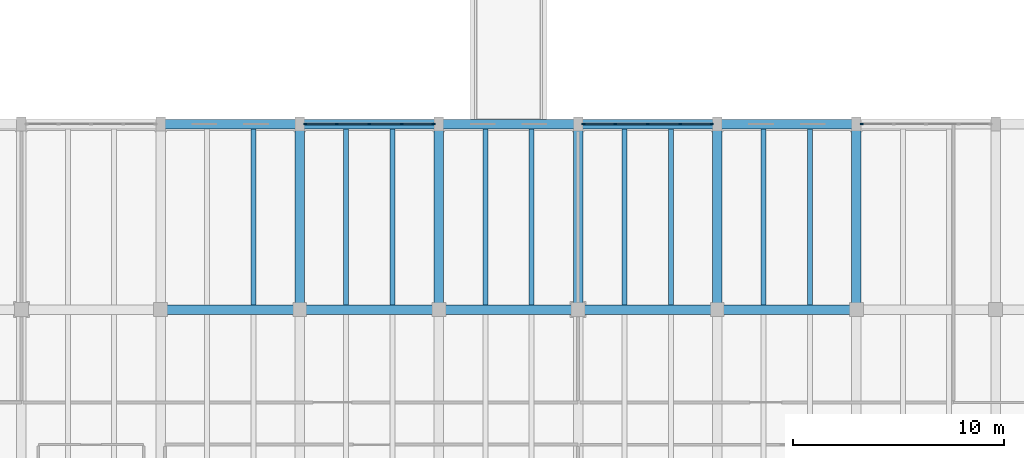
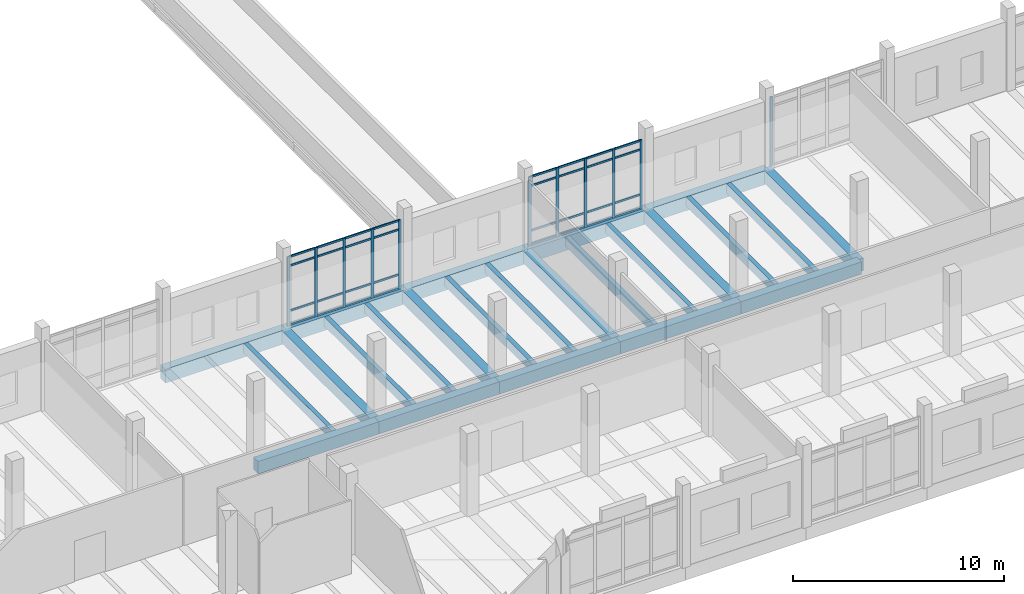
# One storey, part 37 of 101: 43 members, 24 beams, 3 elements without a shape of their own.
"""IFC4 building model written with IfcOpenShell, lengths in metres."""

from ifc_helpers import new_model, si_unit, direction, frame, origin, origin_2d, place, context, subcontext, project, spatial, rectangle, extrude, material, material_profile, profile_set, type_object, element, aggregate, save


model = new_model("IFC4")

# Units and contexts
model_context = context("Model", 3, precision=1e-05, world=origin(), true_north=direction((0.0, 1.0)))
body_context = subcontext(model_context, "Body", "Model", "MODEL_VIEW")
ifc_project = project(units=[si_unit("LENGTHUNIT", "METRE"), si_unit("AREAUNIT", "SQUARE_METRE"), si_unit("VOLUMEUNIT", "CUBIC_METRE"), si_unit("PLANEANGLEUNIT", "RADIAN"), si_unit("MASSUNIT", "GRAM", prefix="KILO")], contexts=[model_context])

# Site, building, storey
site_placement = place(None, origin())
site = spatial("IfcSite", under=ifc_project, at=site_placement, CompositionType="ELEMENT")
building_placement = place(site_placement, origin())
building = spatial("IfcBuilding", under=site, at=building_placement, Name="Dornvale Research Institute", CompositionType="ELEMENT")
storey_placement = place(building_placement, frame((0.0, 0.0, 10.199951171875)))
storey = spatial("IfcBuildingStorey", under=building, at=storey_placement, Name="L02", CompositionType="ELEMENT", Elevation=10.199951171875)

# Beams
ifc_material_1 = material(Name="Concrete f'c 45 MPa (C35/45)", Category="concrete")
ifc_material_profile_1 = material_profile(ifc_material_1, rectangle(XDim=0.449951171875, YDim=0.715087890625, at=origin_2d()), Name="RC 450x715")
ifc_profile_set_1 = profile_set([ifc_material_profile_1], Name="Concrete f'c 45 MPa (C35/45)")
beam_type_1 = type_object("IfcBeamType", Name="Beam_RC450x715_Lab", PredefinedType="BEAM", material=ifc_profile_set_1)
for number, where, z_axis, x_axis, name in (
    (1, (125.39990234375, 17.60009765625, -0.357421875), (1.0, 0.0, 0.0), (0.0, 1.0, 0.0), "L02 primary girder #726"),
    (2, (132.0, 17.60009765625, -0.357421875), (1.0, 0.0, 0.0), (0.0, 1.0, 0.0), "L02 primary girder #727"),
):
    element("IfcBeam", number, at=place(storey_placement, frame(where, z_axis=z_axis, x_axis=x_axis)), inside=storey, type_object=beam_type_1, Name=name, PredefinedType="BEAM", context=body_context, shape_type="SweptSolid", body=[
        extrude(rectangle(XDim=0.449951171875, YDim=0.715087890625, at=origin_2d()), origin(), (0.0, 0.0, 1.0), 6.60009765625),
    ])
beam_1_placement = place(storey_placement, frame((138.60009765625, 17.60009765625, -0.357421875), z_axis=(1.0, 0.0, 0.0), x_axis=(0.0, 1.0, 0.0)))
element("IfcBeam", 3, at=beam_1_placement, inside=storey, type_object=beam_type_1, Name="L02 primary girder #728", PredefinedType="BEAM", context=body_context, shape_type="SweptSolid", body=[
    extrude(rectangle(XDim=0.449951171875, YDim=0.715087890625, at=origin_2d()), origin(), (0.0, 0.0, 1.0), 6.599853515625),
])
beam_2_placement = place(storey_placement, frame((145.199951171875, 17.60009765625, -0.357421875), z_axis=(1.0, 0.0, 0.0), x_axis=(0.0, 1.0, 0.0)))
element("IfcBeam", 4, at=beam_2_placement, inside=storey, type_object=beam_type_1, Name="L02 primary girder #729", PredefinedType="BEAM", context=body_context, shape_type="SweptSolid", body=[
    extrude(rectangle(XDim=0.449951171875, YDim=0.715087890625, at=origin_2d()), origin(), (0.0, 0.0, 1.0), 6.60009765625),
])
beam_3_placement = place(storey_placement, frame((151.800048828125, 17.60009765625, -0.357421875), z_axis=(1.0, 0.0, 0.0), x_axis=(0.0, 1.0, 0.0)))
element("IfcBeam", 5, at=beam_3_placement, inside=storey, type_object=beam_type_1, Name="L02 primary girder #730", PredefinedType="BEAM", context=body_context, shape_type="SweptSolid", body=[
    extrude(rectangle(XDim=0.449951171875, YDim=0.715087890625, at=origin_2d()), origin(), (0.0, 0.0, 1.0), 6.599853515625),
])
for number, where, z_axis, x_axis, name in (
    (6, (132.0, 17.60009765625, -0.357421875), (0.0, 1.0, 0.0), (-1.0, 0.0, 0.0), "L02 transverse girder #762"),
    (7, (138.60009765625, 17.60009765625, -0.357421875), (0.0, 1.0, 0.0), (-1.0, 0.0, 0.0), "L02 transverse girder #765"),
    (8, (145.199951171875, 17.60009765625, -0.357421875), (0.0, 1.0, 0.0), (-1.0, 0.0, 0.0), "L02 transverse girder #768"),
    (9, (151.800048828125, 17.60009765625, -0.357421875), (0.0, 1.0, 0.0), (-1.0, 0.0, 0.0), "L02 transverse girder #771"),
    (10, (158.39990234375, 17.60009765625, -0.357421875), (0.0, 1.0, 0.0), (-1.0, 0.0, 0.0), "L02 transverse girder #774"),
):
    element("IfcBeam", number, at=place(storey_placement, frame(where, z_axis=z_axis, x_axis=x_axis)), inside=storey, type_object=beam_type_1, Name=name, PredefinedType="BEAM", context=body_context, shape_type="SweptSolid", body=[
        extrude(rectangle(XDim=0.449951171875, YDim=0.715087890625, at=origin_2d()), origin(), (0.0, 0.0, 1.0), 8.7998046875),
    ])
ifc_material_2 = material(Name="Concrete f'c 45 MPa (C35/45)", Category="concrete")
ifc_material_profile_2 = material_profile(ifc_material_2, rectangle(XDim=0.239990234375, YDim=0.534912109375, at=origin_2d()), Name="RC 240x535")
ifc_profile_set_2 = profile_set([ifc_material_profile_2], Name="Concrete f'c 45 MPa (C35/45)")
beam_type_2 = type_object("IfcBeamType", Name="Joist_RC240x535_Waffle", PredefinedType="JOIST", material=ifc_profile_set_2)
for number, where, z_axis, x_axis, name in (
    (11, (129.800048828125, 17.824951171875, -0.267333984375), (0.0, 1.0, 0.0), (-1.0, 0.0, 0.0), "L02 laboratory waffle joist #376"),
    (12, (134.199951171875, 17.824951171875, -0.267333984375), (0.0, 1.0, 0.0), (-1.0, 0.0, 0.0), "L02 laboratory waffle joist #381"),
    (13, (136.39990234375, 17.824951171875, -0.267333984375), (0.0, 1.0, 0.0), (-1.0, 0.0, 0.0), "L02 laboratory waffle joist #382"),
    (14, (140.800048828125, 17.824951171875, -0.267333984375), (0.0, 1.0, 0.0), (-1.0, 0.0, 0.0), "L02 laboratory waffle joist #387"),
    (15, (143.0, 17.824951171875, -0.267333984375), (0.0, 1.0, 0.0), (-1.0, 0.0, 0.0), "L02 laboratory waffle joist #388"),
    (16, (147.39990234375, 17.824951171875, -0.267333984375), (0.0, 1.0, 0.0), (-1.0, 0.0, 0.0), "L02 laboratory waffle joist #393"),
    (17, (149.60009765625, 17.824951171875, -0.267333984375), (0.0, 1.0, 0.0), (-1.0, 0.0, 0.0), "L02 laboratory waffle joist #394"),
    (18, (154.0, 17.824951171875, -0.267333984375), (0.0, 1.0, 0.0), (-1.0, 0.0, 0.0), "L02 laboratory waffle joist #399"),
    (19, (156.199951171875, 17.824951171875, -0.267333984375), (0.0, 1.0, 0.0), (-1.0, 0.0, 0.0), "L02 laboratory waffle joist #400"),
):
    element("IfcBeam", number, at=place(storey_placement, frame(where, z_axis=z_axis, x_axis=x_axis)), inside=storey, type_object=beam_type_2, Name=name, PredefinedType="JOIST", context=body_context, shape_type="SweptSolid", body=[
        extrude(rectangle(XDim=0.239990234375, YDim=0.534912109375, at=origin_2d()), origin(), (0.0, 0.0, 1.0), 8.35009765625),
    ])

# Curtain wall, members
ifc_material_3 = material(Name="Low-E Argon Double Insulating Glazing Unit", Category="glass")
curtain_wall_type = type_object("IfcCurtainWallType", Name="UnitisedCurtainWall_V3_6150x4000", PredefinedType="USERDEFINED", material=ifc_material_3)
curtain_wall_1_placement = place(storey_placement, origin())
curtain_wall_1 = element("IfcCurtainWall", 20, at=curtain_wall_1_placement, inside=storey, type_object=curtain_wall_type, Name="L02 V3 unitised curtain wall CW-06 #44", ObjectType="UNITISED CURTAIN WALL", PredefinedType="USERDEFINED")
ifc_material_4 = material(Name="Anodized Aluminum AA 6063-T6 Thermally Broken Frame", Category="aluminium")
ifc_material_profile_3 = material_profile(ifc_material_4, rectangle(XDim=0.06494140625, YDim=0.14990234375, at=origin_2d()), Name="ALU MULLION 65x150")
ifc_profile_set_3 = profile_set([ifc_material_profile_3], Name="Anodized Aluminum AA 6063-T6 Thermally Broken Frame")
member_type_1 = type_object("IfcMemberType", Name="Mullion_CW_65x150", PredefinedType="MULLION", material=ifc_profile_set_3)
member_1_placement = place(storey_placement, frame((132.257568359375, 26.39990234375, 0.0), z_axis=(0.0, 0.0, 1.0), x_axis=(0.0, 1.0, 0.0)))
member_1 = element("IfcMember", 21, at=member_1_placement, type_object=member_type_1, Name="CW-06 mullion 1", PredefinedType="MULLION", context=body_context, shape_type="SweptSolid", body=[
    extrude(rectangle(XDim=0.06494140625, YDim=0.14990234375, at=origin_2d()), origin(), (0.0, 0.0, 1.0), 4.0),
])
member_2_placement = place(storey_placement, frame((133.762451171875, 26.39990234375, 0.0), z_axis=(0.0, 0.0, 1.0), x_axis=(0.0, 1.0, 0.0)))
member_2 = element("IfcMember", 22, at=member_2_placement, type_object=member_type_1, Name="CW-06 mullion 2", PredefinedType="MULLION", context=body_context, shape_type="SweptSolid", body=[
    extrude(rectangle(XDim=0.06494140625, YDim=0.14990234375, at=origin_2d()), origin(), (0.0, 0.0, 1.0), 4.0),
])
member_3_placement = place(storey_placement, frame((135.300048828125, 26.39990234375, 0.0), z_axis=(0.0, 0.0, 1.0), x_axis=(0.0, 1.0, 0.0)))
member_3 = element("IfcMember", 23, at=member_3_placement, type_object=member_type_1, Name="CW-06 mullion 3", PredefinedType="MULLION", context=body_context, shape_type="SweptSolid", body=[
    extrude(rectangle(XDim=0.06494140625, YDim=0.14990234375, at=origin_2d()), origin(), (0.0, 0.0, 1.0), 4.0),
])
member_4_placement = place(storey_placement, frame((136.83740234375, 26.39990234375, 0.0), z_axis=(0.0, 0.0, 1.0), x_axis=(0.0, 1.0, 0.0)))
member_4 = element("IfcMember", 24, at=member_4_placement, type_object=member_type_1, Name="CW-06 mullion 4", PredefinedType="MULLION", context=body_context, shape_type="SweptSolid", body=[
    extrude(rectangle(XDim=0.06494140625, YDim=0.14990234375, at=origin_2d()), origin(), (0.0, 0.0, 1.0), 4.0),
])
member_5_placement = place(storey_placement, frame((138.342529296875, 26.39990234375, 0.0), z_axis=(0.0, 0.0, 1.0), x_axis=(0.0, 1.0, 0.0)))
member_5 = element("IfcMember", 25, at=member_5_placement, type_object=member_type_1, Name="CW-06 mullion 5", PredefinedType="MULLION", context=body_context, shape_type="SweptSolid", body=[
    extrude(rectangle(XDim=0.06494140625, YDim=0.14990234375, at=origin_2d()), origin(), (0.0, 0.0, 1.0), 4.0),
])

curtain_wall_2_placement = place(storey_placement, origin())
curtain_wall_2 = element("IfcCurtainWall", 26, at=curtain_wall_2_placement, inside=storey, type_object=curtain_wall_type, Name="L02 V3 unitised curtain wall CW-06 #45", ObjectType="UNITISED CURTAIN WALL", PredefinedType="USERDEFINED")
member_6_placement = place(storey_placement, frame((145.45751953125, 26.39990234375, 0.0), z_axis=(0.0, 0.0, 1.0), x_axis=(0.0, 1.0, 0.0)))
member_6 = element("IfcMember", 27, at=member_6_placement, type_object=member_type_1, Name="CW-06 mullion 1", PredefinedType="MULLION", context=body_context, shape_type="SweptSolid", body=[
    extrude(rectangle(XDim=0.06494140625, YDim=0.14990234375, at=origin_2d()), origin(), (0.0, 0.0, 1.0), 4.0),
])
member_7_placement = place(storey_placement, frame((146.96240234375, 26.39990234375, 0.0), z_axis=(0.0, 0.0, 1.0), x_axis=(0.0, 1.0, 0.0)))
member_7 = element("IfcMember", 28, at=member_7_placement, type_object=member_type_1, Name="CW-06 mullion 2", PredefinedType="MULLION", context=body_context, shape_type="SweptSolid", body=[
    extrude(rectangle(XDim=0.06494140625, YDim=0.14990234375, at=origin_2d()), origin(), (0.0, 0.0, 1.0), 4.0),
])
member_8_placement = place(storey_placement, frame((148.5, 26.39990234375, 0.0), z_axis=(0.0, 0.0, 1.0), x_axis=(0.0, 1.0, 0.0)))
member_8 = element("IfcMember", 29, at=member_8_placement, type_object=member_type_1, Name="CW-06 mullion 3", PredefinedType="MULLION", context=body_context, shape_type="SweptSolid", body=[
    extrude(rectangle(XDim=0.06494140625, YDim=0.14990234375, at=origin_2d()), origin(), (0.0, 0.0, 1.0), 4.0),
])
member_9_placement = place(storey_placement, frame((150.03759765625, 26.39990234375, 0.0), z_axis=(0.0, 0.0, 1.0), x_axis=(0.0, 1.0, 0.0)))
member_9 = element("IfcMember", 30, at=member_9_placement, type_object=member_type_1, Name="CW-06 mullion 4", PredefinedType="MULLION", context=body_context, shape_type="SweptSolid", body=[
    extrude(rectangle(XDim=0.06494140625, YDim=0.14990234375, at=origin_2d()), origin(), (0.0, 0.0, 1.0), 4.0),
])
member_10_placement = place(storey_placement, frame((151.54248046875, 26.39990234375, 0.0), z_axis=(0.0, 0.0, 1.0), x_axis=(0.0, 1.0, 0.0)))
member_10 = element("IfcMember", 31, at=member_10_placement, type_object=member_type_1, Name="CW-06 mullion 5", PredefinedType="MULLION", context=body_context, shape_type="SweptSolid", body=[
    extrude(rectangle(XDim=0.06494140625, YDim=0.14990234375, at=origin_2d()), origin(), (0.0, 0.0, 1.0), 4.0),
])

# Curtain wall, member
curtain_wall_3_placement = place(storey_placement, origin())
curtain_wall_3 = element("IfcCurtainWall", 32, at=curtain_wall_3_placement, inside=storey, type_object=curtain_wall_type, Name="L02 V3 unitised curtain wall CW-06 #46", ObjectType="UNITISED CURTAIN WALL", PredefinedType="USERDEFINED")
member_11_placement = place(storey_placement, frame((158.657470703125, 26.39990234375, 0.0), z_axis=(0.0, 0.0, 1.0), x_axis=(0.0, 1.0, 0.0)))
member_11 = element("IfcMember", 33, at=member_11_placement, type_object=member_type_1, Name="CW-06 mullion 1", PredefinedType="MULLION", context=body_context, shape_type="SweptSolid", body=[
    extrude(rectangle(XDim=0.06494140625, YDim=0.14990234375, at=origin_2d()), origin(), (0.0, 0.0, 1.0), 4.0),
])
aggregate(curtain_wall_3, [member_11])

# Beams
ifc_material_5 = material(Name="Concrete f'c 45 MPa (C35/45)", Category="concrete")
ifc_material_profile_4 = material_profile(ifc_material_5, rectangle(XDim=0.449951171875, YDim=0.800048828125, at=origin_2d()), Name="RC 450x800")
ifc_profile_set_4 = profile_set([ifc_material_profile_4], Name="Concrete f'c 45 MPa (C35/45)")
beam_type_3 = type_object("IfcBeamType", Name="Spandrel_RC450x800_Ext", PredefinedType="SPANDREL", material=ifc_profile_set_4)
for number, where, z_axis, x_axis, name in (
    (34, (125.39990234375, 26.39990234375, -0.39990234375), (1.0, 0.0, 0.0), (0.0, 1.0, 0.0), "L02 perimeter spandrel #738"),
    (35, (132.0, 26.39990234375, -0.39990234375), (1.0, 0.0, 0.0), (0.0, 1.0, 0.0), "L02 perimeter spandrel #739"),
):
    element("IfcBeam", number, at=place(storey_placement, frame(where, z_axis=z_axis, x_axis=x_axis)), inside=storey, type_object=beam_type_3, Name=name, PredefinedType="SPANDREL", context=body_context, shape_type="SweptSolid", body=[
        extrude(rectangle(XDim=0.449951171875, YDim=0.800048828125, at=origin_2d()), origin(), (0.0, 0.0, 1.0), 6.60009765625),
    ])
beam_4_placement = place(storey_placement, frame((138.60009765625, 26.39990234375, -0.39990234375), z_axis=(1.0, 0.0, 0.0), x_axis=(0.0, 1.0, 0.0)))
element("IfcBeam", 36, at=beam_4_placement, inside=storey, type_object=beam_type_3, Name="L02 perimeter spandrel #740", PredefinedType="SPANDREL", context=body_context, shape_type="SweptSolid", body=[
    extrude(rectangle(XDim=0.449951171875, YDim=0.800048828125, at=origin_2d()), origin(), (0.0, 0.0, 1.0), 6.599853515625),
])
beam_5_placement = place(storey_placement, frame((145.199951171875, 26.39990234375, -0.39990234375), z_axis=(1.0, 0.0, 0.0), x_axis=(0.0, 1.0, 0.0)))
element("IfcBeam", 37, at=beam_5_placement, inside=storey, type_object=beam_type_3, Name="L02 perimeter spandrel #741", PredefinedType="SPANDREL", context=body_context, shape_type="SweptSolid", body=[
    extrude(rectangle(XDim=0.449951171875, YDim=0.800048828125, at=origin_2d()), origin(), (0.0, 0.0, 1.0), 6.60009765625),
])
beam_6_placement = place(storey_placement, frame((151.800048828125, 26.39990234375, -0.39990234375), z_axis=(1.0, 0.0, 0.0), x_axis=(0.0, 1.0, 0.0)))
element("IfcBeam", 38, at=beam_6_placement, inside=storey, type_object=beam_type_3, Name="L02 perimeter spandrel #742", PredefinedType="SPANDREL", context=body_context, shape_type="SweptSolid", body=[
    extrude(rectangle(XDim=0.449951171875, YDim=0.800048828125, at=origin_2d()), origin(), (0.0, 0.0, 1.0), 6.599853515625),
])

# Member
ifc_material_6 = material(Name="Anodized Aluminum AA 6063-T6 Thermally Broken Frame", Category="aluminium")
ifc_material_profile_5 = material_profile(ifc_material_6, rectangle(XDim=0.06494140625, YDim=0.110107421875, at=origin_2d()), Name="ALU TRANSOM 65x110")
ifc_profile_set_5 = profile_set([ifc_material_profile_5], Name="Anodized Aluminum AA 6063-T6 Thermally Broken Frame")
member_type_2 = type_object("IfcMemberType", Name="Transom_CW_65x110", PredefinedType="USERDEFINED", material=ifc_profile_set_5)
member_12_placement = place(storey_placement, frame((132.2900390625, 26.39990234375, 0.032470703125), z_axis=(1.0, 0.0, 0.0), x_axis=(0.0, 1.0, 0.0)))
member_12 = element("IfcMember", 39, at=member_12_placement, type_object=member_type_2, Name="CW-06 transom 1.1", ObjectType="TRANSOM", PredefinedType="USERDEFINED", context=body_context, shape_type="SweptSolid", body=[
    extrude(rectangle(XDim=0.06494140625, YDim=0.110107421875, at=origin_2d()), origin(), (0.0, 0.0, 1.0), 1.43994140625),
])

member_13_placement = place(storey_placement, frame((132.2900390625, 26.39990234375, 0.85009765625), z_axis=(1.0, 0.0, 0.0), x_axis=(0.0, 1.0, 0.0)))
member_13 = element("IfcMember", 40, at=member_13_placement, type_object=member_type_2, Name="CW-06 transom 1.2", ObjectType="TRANSOM", PredefinedType="USERDEFINED", context=body_context, shape_type="SweptSolid", body=[
    extrude(rectangle(XDim=0.06494140625, YDim=0.110107421875, at=origin_2d()), origin(), (0.0, 0.0, 1.0), 1.43994140625),
])

member_14_placement = place(storey_placement, frame((132.2900390625, 26.39990234375, 3.449951171875), z_axis=(1.0, 0.0, 0.0), x_axis=(0.0, 1.0, 0.0)))
member_14 = element("IfcMember", 41, at=member_14_placement, type_object=member_type_2, Name="CW-06 transom 1.3", ObjectType="TRANSOM", PredefinedType="USERDEFINED", context=body_context, shape_type="SweptSolid", body=[
    extrude(rectangle(XDim=0.06494140625, YDim=0.110107421875, at=origin_2d()), origin(), (0.0, 0.0, 1.0), 1.43994140625),
])

member_15_placement = place(storey_placement, frame((132.2900390625, 26.39990234375, 3.967529296875), z_axis=(1.0, 0.0, 0.0), x_axis=(0.0, 1.0, 0.0)))
member_15 = element("IfcMember", 42, at=member_15_placement, type_object=member_type_2, Name="CW-06 transom 1.4", ObjectType="TRANSOM", PredefinedType="USERDEFINED", context=body_context, shape_type="SweptSolid", body=[
    extrude(rectangle(XDim=0.06494140625, YDim=0.110107421875, at=origin_2d()), origin(), (0.0, 0.0, 1.0), 1.43994140625),
])

member_16_placement = place(storey_placement, frame((133.794921875, 26.39990234375, 0.032470703125), z_axis=(1.0, 0.0, 0.0), x_axis=(0.0, 1.0, 0.0)))
member_16 = element("IfcMember", 43, at=member_16_placement, type_object=member_type_2, Name="CW-06 transom 2.1", ObjectType="TRANSOM", PredefinedType="USERDEFINED", context=body_context, shape_type="SweptSolid", body=[
    extrude(rectangle(XDim=0.06494140625, YDim=0.110107421875, at=origin_2d()), origin(), (0.0, 0.0, 1.0), 1.47265625),
])

member_17_placement = place(storey_placement, frame((133.794921875, 26.39990234375, 0.85009765625), z_axis=(1.0, 0.0, 0.0), x_axis=(0.0, 1.0, 0.0)))
member_17 = element("IfcMember", 44, at=member_17_placement, type_object=member_type_2, Name="CW-06 transom 2.2", ObjectType="TRANSOM", PredefinedType="USERDEFINED", context=body_context, shape_type="SweptSolid", body=[
    extrude(rectangle(XDim=0.06494140625, YDim=0.110107421875, at=origin_2d()), origin(), (0.0, 0.0, 1.0), 1.47265625),
])

member_18_placement = place(storey_placement, frame((133.794921875, 26.39990234375, 3.449951171875), z_axis=(1.0, 0.0, 0.0), x_axis=(0.0, 1.0, 0.0)))
member_18 = element("IfcMember", 45, at=member_18_placement, type_object=member_type_2, Name="CW-06 transom 2.3", ObjectType="TRANSOM", PredefinedType="USERDEFINED", context=body_context, shape_type="SweptSolid", body=[
    extrude(rectangle(XDim=0.06494140625, YDim=0.110107421875, at=origin_2d()), origin(), (0.0, 0.0, 1.0), 1.47265625),
])

member_19_placement = place(storey_placement, frame((133.794921875, 26.39990234375, 3.967529296875), z_axis=(1.0, 0.0, 0.0), x_axis=(0.0, 1.0, 0.0)))
member_19 = element("IfcMember", 46, at=member_19_placement, type_object=member_type_2, Name="CW-06 transom 2.4", ObjectType="TRANSOM", PredefinedType="USERDEFINED", context=body_context, shape_type="SweptSolid", body=[
    extrude(rectangle(XDim=0.06494140625, YDim=0.110107421875, at=origin_2d()), origin(), (0.0, 0.0, 1.0), 1.47265625),
])

member_20_placement = place(storey_placement, frame((135.33251953125, 26.39990234375, 0.032470703125), z_axis=(1.0, 0.0, 0.0), x_axis=(0.0, 1.0, 0.0)))
member_20 = element("IfcMember", 47, at=member_20_placement, type_object=member_type_2, Name="CW-06 transom 3.1", ObjectType="TRANSOM", PredefinedType="USERDEFINED", context=body_context, shape_type="SweptSolid", body=[
    extrude(rectangle(XDim=0.06494140625, YDim=0.110107421875, at=origin_2d()), origin(), (0.0, 0.0, 1.0), 1.472412109375),
])

member_21_placement = place(storey_placement, frame((135.33251953125, 26.39990234375, 0.85009765625), z_axis=(1.0, 0.0, 0.0), x_axis=(0.0, 1.0, 0.0)))
member_21 = element("IfcMember", 48, at=member_21_placement, type_object=member_type_2, Name="CW-06 transom 3.2", ObjectType="TRANSOM", PredefinedType="USERDEFINED", context=body_context, shape_type="SweptSolid", body=[
    extrude(rectangle(XDim=0.06494140625, YDim=0.110107421875, at=origin_2d()), origin(), (0.0, 0.0, 1.0), 1.472412109375),
])

member_22_placement = place(storey_placement, frame((135.33251953125, 26.39990234375, 3.449951171875), z_axis=(1.0, 0.0, 0.0), x_axis=(0.0, 1.0, 0.0)))
member_22 = element("IfcMember", 49, at=member_22_placement, type_object=member_type_2, Name="CW-06 transom 3.3", ObjectType="TRANSOM", PredefinedType="USERDEFINED", context=body_context, shape_type="SweptSolid", body=[
    extrude(rectangle(XDim=0.06494140625, YDim=0.110107421875, at=origin_2d()), origin(), (0.0, 0.0, 1.0), 1.472412109375),
])

member_23_placement = place(storey_placement, frame((135.33251953125, 26.39990234375, 3.967529296875), z_axis=(1.0, 0.0, 0.0), x_axis=(0.0, 1.0, 0.0)))
member_23 = element("IfcMember", 50, at=member_23_placement, type_object=member_type_2, Name="CW-06 transom 3.4", ObjectType="TRANSOM", PredefinedType="USERDEFINED", context=body_context, shape_type="SweptSolid", body=[
    extrude(rectangle(XDim=0.06494140625, YDim=0.110107421875, at=origin_2d()), origin(), (0.0, 0.0, 1.0), 1.472412109375),
])

member_24_placement = place(storey_placement, frame((136.8701171875, 26.39990234375, 0.032470703125), z_axis=(1.0, 0.0, 0.0), x_axis=(0.0, 1.0, 0.0)))
member_24 = element("IfcMember", 51, at=member_24_placement, type_object=member_type_2, Name="CW-06 transom 4.1", ObjectType="TRANSOM", PredefinedType="USERDEFINED", context=body_context, shape_type="SweptSolid", body=[
    extrude(rectangle(XDim=0.06494140625, YDim=0.110107421875, at=origin_2d()), origin(), (0.0, 0.0, 1.0), 1.43994140625),
])

member_25_placement = place(storey_placement, frame((136.8701171875, 26.39990234375, 0.85009765625), z_axis=(1.0, 0.0, 0.0), x_axis=(0.0, 1.0, 0.0)))
member_25 = element("IfcMember", 52, at=member_25_placement, type_object=member_type_2, Name="CW-06 transom 4.2", ObjectType="TRANSOM", PredefinedType="USERDEFINED", context=body_context, shape_type="SweptSolid", body=[
    extrude(rectangle(XDim=0.06494140625, YDim=0.110107421875, at=origin_2d()), origin(), (0.0, 0.0, 1.0), 1.43994140625),
])

member_26_placement = place(storey_placement, frame((136.8701171875, 26.39990234375, 3.449951171875), z_axis=(1.0, 0.0, 0.0), x_axis=(0.0, 1.0, 0.0)))
member_26 = element("IfcMember", 53, at=member_26_placement, type_object=member_type_2, Name="CW-06 transom 4.3", ObjectType="TRANSOM", PredefinedType="USERDEFINED", context=body_context, shape_type="SweptSolid", body=[
    extrude(rectangle(XDim=0.06494140625, YDim=0.110107421875, at=origin_2d()), origin(), (0.0, 0.0, 1.0), 1.43994140625),
])

member_27_placement = place(storey_placement, frame((136.8701171875, 26.39990234375, 3.967529296875), z_axis=(1.0, 0.0, 0.0), x_axis=(0.0, 1.0, 0.0)))
member_27 = element("IfcMember", 54, at=member_27_placement, type_object=member_type_2, Name="CW-06 transom 4.4", ObjectType="TRANSOM", PredefinedType="USERDEFINED", context=body_context, shape_type="SweptSolid", body=[
    extrude(rectangle(XDim=0.06494140625, YDim=0.110107421875, at=origin_2d()), origin(), (0.0, 0.0, 1.0), 1.43994140625),
])

aggregate(curtain_wall_1, [member_1, member_2, member_3, member_4, member_5, member_12, member_13, member_14, member_15, member_16, member_17, member_18, member_19, member_20, member_21, member_22, member_23, member_24, member_25, member_26, member_27])

member_28_placement = place(storey_placement, frame((145.489990234375, 26.39990234375, 0.032470703125), z_axis=(1.0, 0.0, 0.0), x_axis=(0.0, 1.0, 0.0)))
member_28 = element("IfcMember", 55, at=member_28_placement, type_object=member_type_2, Name="CW-06 transom 1.1", ObjectType="TRANSOM", PredefinedType="USERDEFINED", context=body_context, shape_type="SweptSolid", body=[
    extrude(rectangle(XDim=0.06494140625, YDim=0.110107421875, at=origin_2d()), origin(), (0.0, 0.0, 1.0), 1.43994140625),
])

member_29_placement = place(storey_placement, frame((145.489990234375, 26.39990234375, 0.85009765625), z_axis=(1.0, 0.0, 0.0), x_axis=(0.0, 1.0, 0.0)))
member_29 = element("IfcMember", 56, at=member_29_placement, type_object=member_type_2, Name="CW-06 transom 1.2", ObjectType="TRANSOM", PredefinedType="USERDEFINED", context=body_context, shape_type="SweptSolid", body=[
    extrude(rectangle(XDim=0.06494140625, YDim=0.110107421875, at=origin_2d()), origin(), (0.0, 0.0, 1.0), 1.43994140625),
])

member_30_placement = place(storey_placement, frame((145.489990234375, 26.39990234375, 3.449951171875), z_axis=(1.0, 0.0, 0.0), x_axis=(0.0, 1.0, 0.0)))
member_30 = element("IfcMember", 57, at=member_30_placement, type_object=member_type_2, Name="CW-06 transom 1.3", ObjectType="TRANSOM", PredefinedType="USERDEFINED", context=body_context, shape_type="SweptSolid", body=[
    extrude(rectangle(XDim=0.06494140625, YDim=0.110107421875, at=origin_2d()), origin(), (0.0, 0.0, 1.0), 1.43994140625),
])

member_31_placement = place(storey_placement, frame((145.489990234375, 26.39990234375, 3.967529296875), z_axis=(1.0, 0.0, 0.0), x_axis=(0.0, 1.0, 0.0)))
member_31 = element("IfcMember", 58, at=member_31_placement, type_object=member_type_2, Name="CW-06 transom 1.4", ObjectType="TRANSOM", PredefinedType="USERDEFINED", context=body_context, shape_type="SweptSolid", body=[
    extrude(rectangle(XDim=0.06494140625, YDim=0.110107421875, at=origin_2d()), origin(), (0.0, 0.0, 1.0), 1.43994140625),
])

member_32_placement = place(storey_placement, frame((146.9951171875, 26.39990234375, 0.032470703125), z_axis=(1.0, 0.0, 0.0), x_axis=(0.0, 1.0, 0.0)))
member_32 = element("IfcMember", 59, at=member_32_placement, type_object=member_type_2, Name="CW-06 transom 2.1", ObjectType="TRANSOM", PredefinedType="USERDEFINED", context=body_context, shape_type="SweptSolid", body=[
    extrude(rectangle(XDim=0.06494140625, YDim=0.110107421875, at=origin_2d()), origin(), (0.0, 0.0, 1.0), 1.472412109375),
])

member_33_placement = place(storey_placement, frame((146.9951171875, 26.39990234375, 0.85009765625), z_axis=(1.0, 0.0, 0.0), x_axis=(0.0, 1.0, 0.0)))
member_33 = element("IfcMember", 60, at=member_33_placement, type_object=member_type_2, Name="CW-06 transom 2.2", ObjectType="TRANSOM", PredefinedType="USERDEFINED", context=body_context, shape_type="SweptSolid", body=[
    extrude(rectangle(XDim=0.06494140625, YDim=0.110107421875, at=origin_2d()), origin(), (0.0, 0.0, 1.0), 1.472412109375),
])

member_34_placement = place(storey_placement, frame((146.9951171875, 26.39990234375, 3.449951171875), z_axis=(1.0, 0.0, 0.0), x_axis=(0.0, 1.0, 0.0)))
member_34 = element("IfcMember", 61, at=member_34_placement, type_object=member_type_2, Name="CW-06 transom 2.3", ObjectType="TRANSOM", PredefinedType="USERDEFINED", context=body_context, shape_type="SweptSolid", body=[
    extrude(rectangle(XDim=0.06494140625, YDim=0.110107421875, at=origin_2d()), origin(), (0.0, 0.0, 1.0), 1.472412109375),
])

member_35_placement = place(storey_placement, frame((146.9951171875, 26.39990234375, 3.967529296875), z_axis=(1.0, 0.0, 0.0), x_axis=(0.0, 1.0, 0.0)))
member_35 = element("IfcMember", 62, at=member_35_placement, type_object=member_type_2, Name="CW-06 transom 2.4", ObjectType="TRANSOM", PredefinedType="USERDEFINED", context=body_context, shape_type="SweptSolid", body=[
    extrude(rectangle(XDim=0.06494140625, YDim=0.110107421875, at=origin_2d()), origin(), (0.0, 0.0, 1.0), 1.472412109375),
])

member_36_placement = place(storey_placement, frame((148.532470703125, 26.39990234375, 0.032470703125), z_axis=(1.0, 0.0, 0.0), x_axis=(0.0, 1.0, 0.0)))
member_36 = element("IfcMember", 63, at=member_36_placement, type_object=member_type_2, Name="CW-06 transom 3.1", ObjectType="TRANSOM", PredefinedType="USERDEFINED", context=body_context, shape_type="SweptSolid", body=[
    extrude(rectangle(XDim=0.06494140625, YDim=0.110107421875, at=origin_2d()), origin(), (0.0, 0.0, 1.0), 1.472412109375),
])

member_37_placement = place(storey_placement, frame((148.532470703125, 26.39990234375, 0.85009765625), z_axis=(1.0, 0.0, 0.0), x_axis=(0.0, 1.0, 0.0)))
member_37 = element("IfcMember", 64, at=member_37_placement, type_object=member_type_2, Name="CW-06 transom 3.2", ObjectType="TRANSOM", PredefinedType="USERDEFINED", context=body_context, shape_type="SweptSolid", body=[
    extrude(rectangle(XDim=0.06494140625, YDim=0.110107421875, at=origin_2d()), origin(), (0.0, 0.0, 1.0), 1.472412109375),
])

member_38_placement = place(storey_placement, frame((148.532470703125, 26.39990234375, 3.449951171875), z_axis=(1.0, 0.0, 0.0), x_axis=(0.0, 1.0, 0.0)))
member_38 = element("IfcMember", 65, at=member_38_placement, type_object=member_type_2, Name="CW-06 transom 3.3", ObjectType="TRANSOM", PredefinedType="USERDEFINED", context=body_context, shape_type="SweptSolid", body=[
    extrude(rectangle(XDim=0.06494140625, YDim=0.110107421875, at=origin_2d()), origin(), (0.0, 0.0, 1.0), 1.472412109375),
])

member_39_placement = place(storey_placement, frame((148.532470703125, 26.39990234375, 3.967529296875), z_axis=(1.0, 0.0, 0.0), x_axis=(0.0, 1.0, 0.0)))
member_39 = element("IfcMember", 66, at=member_39_placement, type_object=member_type_2, Name="CW-06 transom 3.4", ObjectType="TRANSOM", PredefinedType="USERDEFINED", context=body_context, shape_type="SweptSolid", body=[
    extrude(rectangle(XDim=0.06494140625, YDim=0.110107421875, at=origin_2d()), origin(), (0.0, 0.0, 1.0), 1.472412109375),
])

member_40_placement = place(storey_placement, frame((150.070068359375, 26.39990234375, 0.032470703125), z_axis=(1.0, 0.0, 0.0), x_axis=(0.0, 1.0, 0.0)))
member_40 = element("IfcMember", 67, at=member_40_placement, type_object=member_type_2, Name="CW-06 transom 4.1", ObjectType="TRANSOM", PredefinedType="USERDEFINED", context=body_context, shape_type="SweptSolid", body=[
    extrude(rectangle(XDim=0.06494140625, YDim=0.110107421875, at=origin_2d()), origin(), (0.0, 0.0, 1.0), 1.43994140625),
])

member_41_placement = place(storey_placement, frame((150.070068359375, 26.39990234375, 0.85009765625), z_axis=(1.0, 0.0, 0.0), x_axis=(0.0, 1.0, 0.0)))
member_41 = element("IfcMember", 68, at=member_41_placement, type_object=member_type_2, Name="CW-06 transom 4.2", ObjectType="TRANSOM", PredefinedType="USERDEFINED", context=body_context, shape_type="SweptSolid", body=[
    extrude(rectangle(XDim=0.06494140625, YDim=0.110107421875, at=origin_2d()), origin(), (0.0, 0.0, 1.0), 1.43994140625),
])

member_42_placement = place(storey_placement, frame((150.070068359375, 26.39990234375, 3.449951171875), z_axis=(1.0, 0.0, 0.0), x_axis=(0.0, 1.0, 0.0)))
member_42 = element("IfcMember", 69, at=member_42_placement, type_object=member_type_2, Name="CW-06 transom 4.3", ObjectType="TRANSOM", PredefinedType="USERDEFINED", context=body_context, shape_type="SweptSolid", body=[
    extrude(rectangle(XDim=0.06494140625, YDim=0.110107421875, at=origin_2d()), origin(), (0.0, 0.0, 1.0), 1.43994140625),
])

member_43_placement = place(storey_placement, frame((150.070068359375, 26.39990234375, 3.967529296875), z_axis=(1.0, 0.0, 0.0), x_axis=(0.0, 1.0, 0.0)))
member_43 = element("IfcMember", 70, at=member_43_placement, type_object=member_type_2, Name="CW-06 transom 4.4", ObjectType="TRANSOM", PredefinedType="USERDEFINED", context=body_context, shape_type="SweptSolid", body=[
    extrude(rectangle(XDim=0.06494140625, YDim=0.110107421875, at=origin_2d()), origin(), (0.0, 0.0, 1.0), 1.43994140625),
])

aggregate(curtain_wall_2, [member_6, member_7, member_8, member_9, member_10, member_28, member_29, member_30, member_31, member_32, member_33, member_34, member_35, member_36, member_37, member_38, member_39, member_40, member_41, member_42, member_43])

save(model, "model.ifc")
